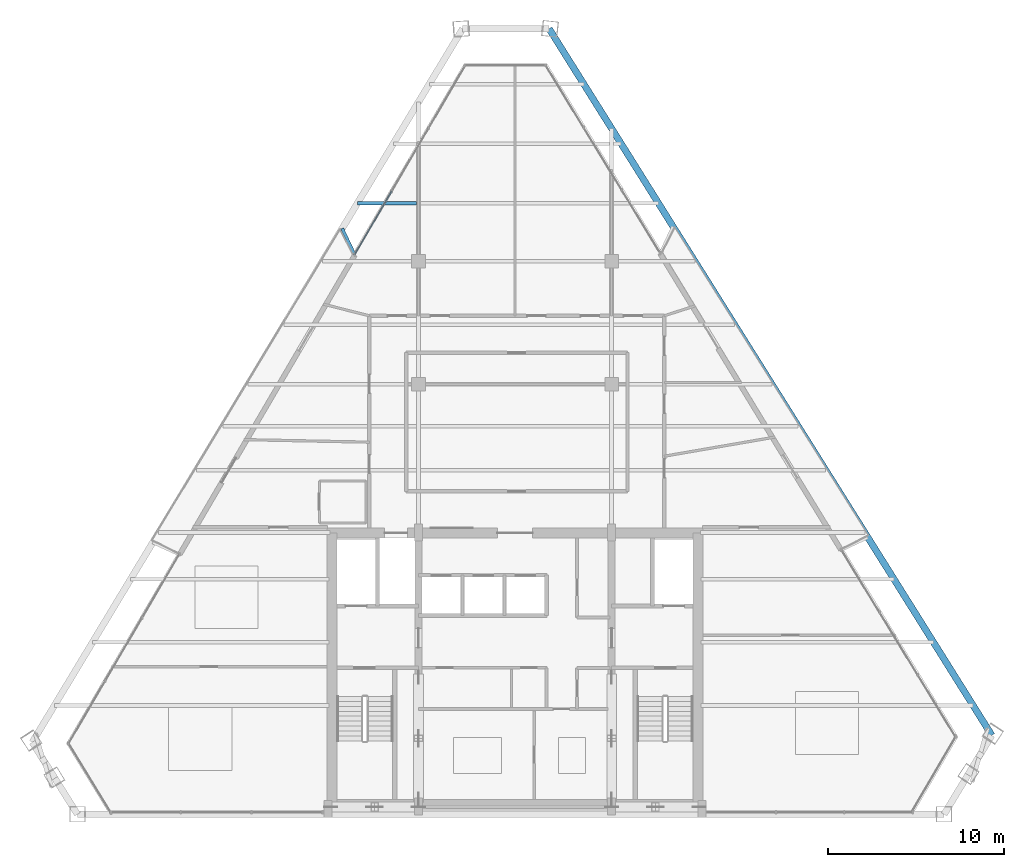
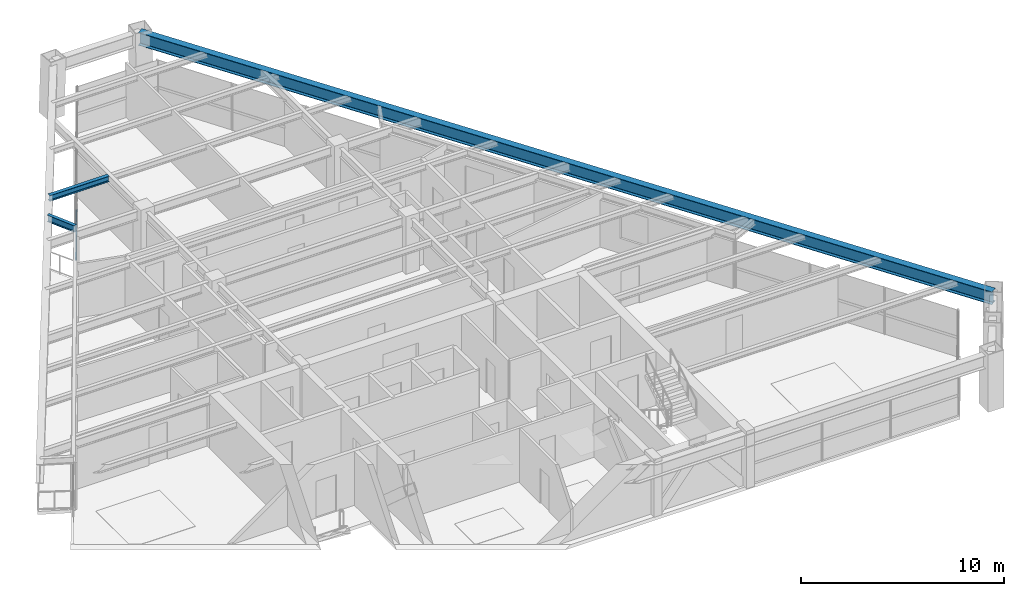
# One storey, part 6 of 13: 3 beams, 1 member, 1 element without a shape of its own.
"""IFC4 building model written with IfcOpenShell, lengths in metres."""

from ifc_helpers import new_model, si_unit, direction, frame, origin, origin_2d, place, context, subcontext, project, spatial, rectangle, i_section, extrude, source, transform, mapped, material, material_profile, profile_set, type_object, element, aggregate, save


model = new_model("IFC4")

# Units and contexts
model_context = context("Model", 3, precision=1e-05, world=origin(), true_north=direction((0.0, 1.0)))
body_context = subcontext(model_context, "Body", "Model", "MODEL_VIEW")
ifc_project = project(units=[si_unit("LENGTHUNIT", "METRE"), si_unit("AREAUNIT", "SQUARE_METRE"), si_unit("VOLUMEUNIT", "CUBIC_METRE"), si_unit("PLANEANGLEUNIT", "RADIAN"), si_unit("MASSUNIT", "GRAM", prefix="KILO")], contexts=[model_context])

# Site, building, storey
site_placement = place(None, origin())
site = spatial("IfcSite", under=ifc_project, at=site_placement, CompositionType="ELEMENT")
building_placement = place(site_placement, origin())
building = spatial("IfcBuilding", under=site, at=building_placement, Name="Varnakhor Terracotta Tower", CompositionType="ELEMENT")
storey_placement = place(building_placement, frame((0.0, 0.0, 251.050048828125)))
storey = spatial("IfcBuildingStorey", under=building, at=storey_placement, Name="L65", CompositionType="ELEMENT", Elevation=251.050048828125)

# Beams
ifc_material_1 = material(Name="Steel S355", Category="steel")
ifc_material_profile_1 = material_profile(ifc_material_1, i_section(OverallWidth=0.381103515625, OverallDepth=0.77294921875, WebThickness=0.01708984375, FlangeThickness=0.027099609375, FilletRadius=0.01806640625, at=origin_2d()), Name="W30X173")
ifc_profile_set_1 = profile_set([ifc_material_profile_1], Name="Steel S355")
beam_type_1 = type_object("IfcBeamType", Name="BM-W30X173", PredefinedType="BEAM", material=ifc_profile_set_1)
shared_shape_1 = source(origin(), body_context, "Body", "SweptSolid", [
    extrude(i_section(OverallWidth=0.381103515625, OverallDepth=0.77294921875, WebThickness=0.01708984375, FlangeThickness=0.027099609375, FilletRadius=0.01806640625, at=origin_2d()), origin(), (0.0, 0.0, 1.0), 47.49658203125),
])
beam_1_placement = place(storey_placement, frame((27.156982421875, 4.502685546875, 2.853515625), z_axis=(-0.530927316578, 0.847417361464, 0.0), x_axis=(-0.847417361464, -0.530927316578, 0.0)))
element("IfcBeam", 1, at=beam_1_placement, inside=storey, type_object=beam_type_1, Name="L65 Perimeter Spandrel 4", PredefinedType="BEAM", context=body_context, shape_type="MappedRepresentation", body=[
    mapped(shared_shape_1, transform((0.0, 0.0, 0.0), scale=1.0)),
])
ifc_material_profile_2 = material_profile(ifc_material_1, i_section(OverallWidth=0.202880859375, OverallDepth=0.346923828125, WebThickness=0.0078125, FlangeThickness=0.013427734375, FilletRadius=0.01806640625, at=origin_2d()), Name="W14X43")
ifc_profile_set_2 = profile_set([ifc_material_profile_2], Name="Steel S355")
beam_type_2 = type_object("IfcBeamType", Name="JST-W14X43", PredefinedType="JOIST", material=ifc_profile_set_2)
shared_shape_2 = source(origin(), body_context, "Body", "SweptSolid", [
    extrude(i_section(OverallWidth=0.202880859375, OverallDepth=0.346923828125, WebThickness=0.0078125, FlangeThickness=0.013427734375, FilletRadius=0.01806640625, at=origin_2d()), origin(), (0.0, 0.0, 1.0), 3.3818359375),
])
beam_2_placement = place(storey_placement, frame((-8.98486328125, 34.800048828125, 3.06640625), z_axis=(1.0, 0.0, 0.0), x_axis=(0.0, 1.0, 0.0)))
element("IfcBeam", 2, at=beam_2_placement, inside=storey, type_object=beam_type_2, Name="L65 Composite Floor Joist 7-1", PredefinedType="JOIST", context=body_context, shape_type="MappedRepresentation", body=[
    mapped(shared_shape_2, transform((0.0, 0.0, 0.0), scale=1.0)),
])
ifc_material_profile_3 = material_profile(ifc_material_1, i_section(OverallWidth=0.179931640625, OverallDepth=0.39990234375, WebThickness=0.008544921875, FlangeThickness=0.013427734375, FilletRadius=0.01806640625, at=origin_2d()), Name="IPE400")
ifc_profile_set_3 = profile_set([ifc_material_profile_3], Name="Steel S355")
beam_type_3 = type_object("IfcBeamType", Name="JST-IPE400", PredefinedType="JOIST", material=ifc_profile_set_3)
shared_shape_3 = source(origin(), body_context, "Body", "SweptSolid", [
    extrude(i_section(OverallWidth=0.179931640625, OverallDepth=0.39990234375, WebThickness=0.008544921875, FlangeThickness=0.013427734375, FilletRadius=0.01806640625, at=origin_2d()), origin(), (0.0, 0.0, 1.0), 1.627197265625),
])
beam_3_placement = place(storey_placement, frame((-9.15234375, 31.89990234375, 3.0400390625), z_axis=(-0.426570044637, 0.9044545301, 0.0), x_axis=(-0.9044545301, -0.426570044637, 0.0)))
element("IfcBeam", 3, at=beam_3_placement, inside=storey, type_object=beam_type_3, Name="L66 W Loggia Tie Beam 2", PredefinedType="JOIST", context=body_context, shape_type="MappedRepresentation", body=[
    mapped(shared_shape_3, transform((0.0, 0.0, 0.0), scale=1.0)),
])

# Curtain wall, member
ifc_material_2 = material(Name="Anodised Aluminium Curtain Wall System", Category="aluminium")
curtain_wall_type = type_object("IfcCurtainWallType", Name="CW-SYS-HOTEL-LOGGIA", PredefinedType="NOTDEFINED", material=ifc_material_2)
curtain_wall_placement = place(storey_placement, origin())
curtain_wall = element("IfcCurtainWall", 4, at=curtain_wall_placement, inside=storey, type_object=curtain_wall_type, Name="L65 W Facet Curtain Wall 2", PredefinedType="NOTDEFINED")
ifc_material_3 = material(Name="Anodised Aluminium 6063-T6", Category="aluminium")
ifc_material_profile_4 = material_profile(ifc_material_3, rectangle(XDim=0.06494140625, YDim=0.14501953125, at=origin_2d()), Name="ALU TRANSOM 65x145")
ifc_profile_set_4 = profile_set([ifc_material_profile_4], Name="Anodised Aluminium 6063-T6")
member_type = type_object("IfcMemberType", Name="CWT-04", PredefinedType="USERDEFINED", material=ifc_profile_set_4)
shared_shape_4 = source(origin(), body_context, "Body", "SweptSolid", [
    extrude(rectangle(XDim=0.06494140625, YDim=0.14501953125, at=origin_2d()), origin(), (0.0, 0.0, 1.0), 4.169189453125),
])
member_placement = place(storey_placement, frame((-9.1279296875, 31.895263671875, 1.184326171875), z_axis=(0.505017498829, 0.863109104272, 0.0), x_axis=(-0.863109104272, 0.505017498829, 0.0)))
member = element("IfcMember", 5, at=member_placement, type_object=member_type, Name="L65 W Facet Curtain Wall 2 Transom 1", ObjectType="TRANSOM", PredefinedType="USERDEFINED", context=body_context, shape_type="MappedRepresentation", body=[
    mapped(shared_shape_4, transform((0.0, 0.0, 0.0), scale=1.0)),
])
aggregate(curtain_wall, [member])

save(model, "model.ifc")
